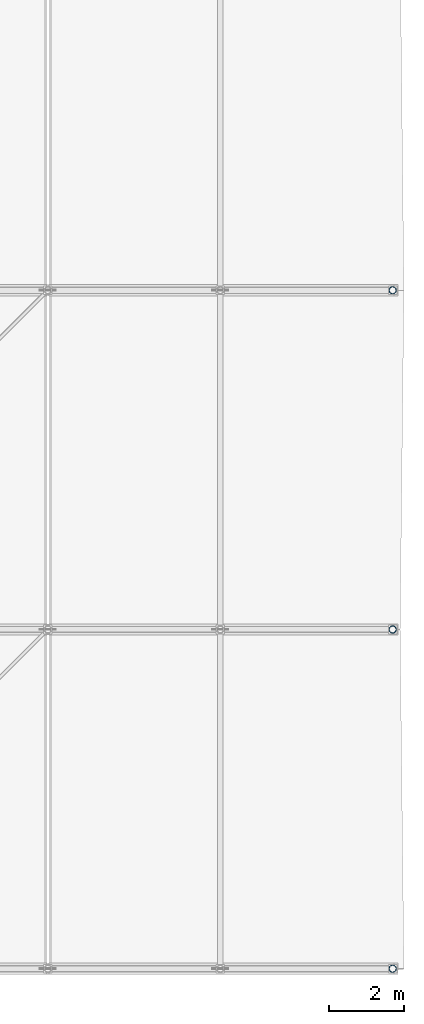
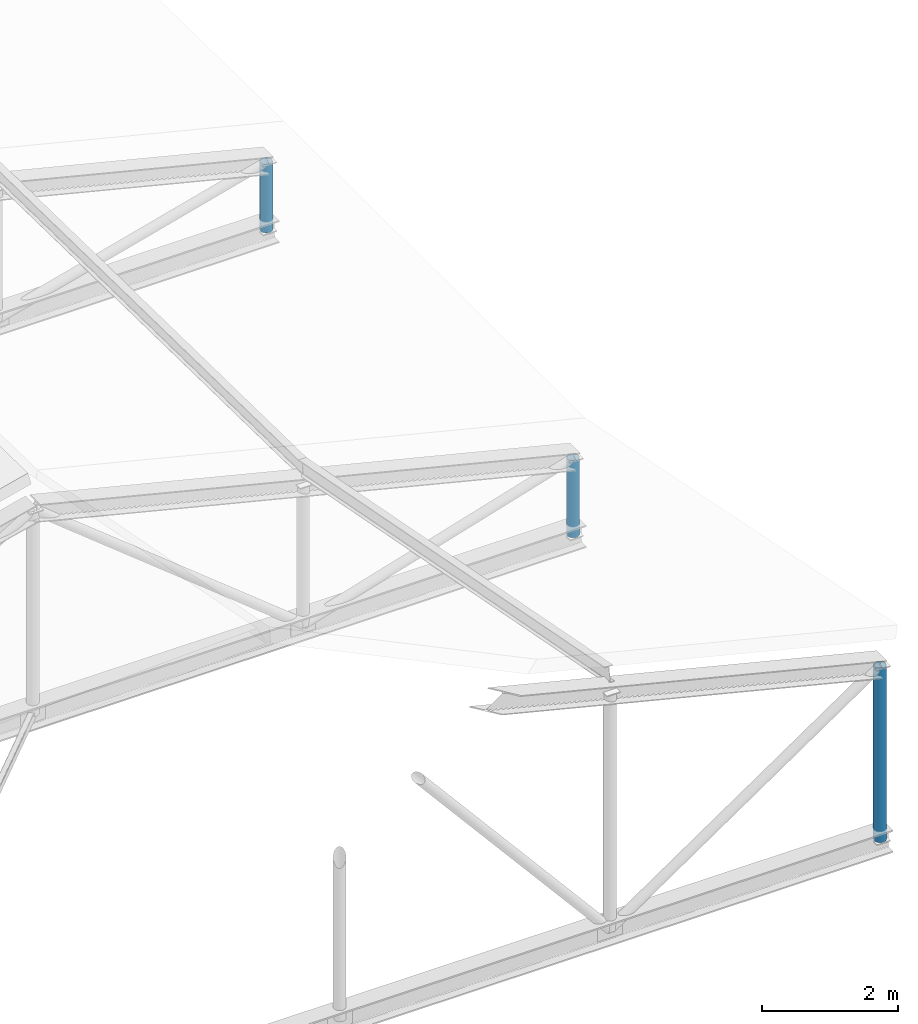
# One storey, part 15 of 33: 3 members.
"""IFC4 building model written with IfcOpenShell, lengths in metres."""

import ifcopenshell
import ifcopenshell.guid

model = None  # the IFC model being written
_history = None  # IfcOwnerHistory: only IFC2X3 demands one
_inside = {}  # id of a spatial element -> (the spatial element, [elements in it])
_under = {}  # id of a project, library or spatial element -> (it, [spatial elements below it])
_declared = {}  # id of a project -> (the project, [libraries it declares])
_typed = {}  # id of a type object -> (the type object, [elements of that type])
_made_of = {}  # id of a material, layer set ... -> (it, [elements and type objects made of it])


def new_model(schema):
    """Start an empty IFC model of exactly this schema.

    Asked for "IFC4X3", IfcOpenShell would pick the latest addendum, in which some entities
    have other attributes; the version numbers below select the first issue.
    IFC2X3 requires an IfcOwnerHistory on every rooted entity: one is made here for all.
    """
    global model, _history
    if schema == "IFC4X3":
        model = ifcopenshell.file(schema_version=(4, 3, 0, 0))
    else:
        model = ifcopenshell.file(schema=schema)
    _inside.clear()
    _under.clear()
    _declared.clear()
    _typed.clear()
    _made_of.clear()
    _history = None
    if model.schema == "IFC2X3":
        org = make("IfcOrganization", Name="unknown")
        user = make(
            "IfcPersonAndOrganization",
            ThePerson=make("IfcPerson", FamilyName="unknown"),
            TheOrganization=org,
        )
        app = make(
            "IfcApplication",
            ApplicationDeveloper=org,
            Version="unknown",
            ApplicationFullName="unknown",
            ApplicationIdentifier="unknown",
        )
        _history = make(
            "IfcOwnerHistory",
            OwningUser=user,
            OwningApplication=app,
            ChangeAction="ADDED",
            CreationDate=0,
        )
    return model


def make(cls, **values):
    """One entity of the class cls with the attributes given. An attribute that is None is left unset."""
    return model.create_entity(
        cls, **{name: value for name, value in values.items() if value is not None}
    )


def rooted(cls, **values):
    """An entity with a GlobalId (a new one), such as an element, a storey or a relation."""
    return make(cls, GlobalId=ifcopenshell.guid.new(), OwnerHistory=_history, **values)


def si_unit(unit_type, name, prefix=None):
    """IfcSIUnit, for example si_unit("LENGTHUNIT", "METRE", prefix="MILLI")."""
    return make("IfcSIUnit", UnitType=unit_type, Prefix=prefix, Name=name)


def assignment(units):
    """IfcUnitAssignment: the units of a project."""
    return None if units is None else make("IfcUnitAssignment", Units=units)


def point(xyz):
    """IfcCartesianPoint."""
    return None if xyz is None else make("IfcCartesianPoint", Coordinates=xyz)


def direction(xyz):
    """IfcDirection."""
    return None if xyz is None else make("IfcDirection", DirectionRatios=xyz)


def frame(location, z_axis=None, x_axis=None):
    """IfcAxis2Placement3D, a coordinate frame: its origin and axes. An axis left out is left unset."""
    return make(
        "IfcAxis2Placement3D",
        Location=point(location),
        Axis=direction(z_axis),
        RefDirection=direction(x_axis),
    )


def frame_2d(location, x_axis=None):
    """IfcAxis2Placement2D, a coordinate frame in the plane: its origin and x axis."""
    return make(
        "IfcAxis2Placement2D", Location=point(location), RefDirection=direction(x_axis)
    )


def origin():
    """The frame at (0, 0, 0) with its axes left unset."""
    return frame((0.0, 0.0, 0.0))


def origin_2d():
    """The frame at (0, 0) in the plane with its x axis left unset."""
    return frame_2d((0.0, 0.0))


def place(relative_to, where):
    """IfcLocalPlacement: puts the frame where relative to a parent placement (None: the world)."""
    return make(
        "IfcLocalPlacement", PlacementRelTo=relative_to, RelativePlacement=where
    )


def context(
    kind, dimensions, precision=None, world=None, true_north=None, identifier=None
):
    """IfcGeometricRepresentationContext, for example the 3D "Model" context."""
    return make(
        "IfcGeometricRepresentationContext",
        ContextIdentifier=identifier,
        ContextType=kind,
        CoordinateSpaceDimension=dimensions,
        Precision=precision,
        WorldCoordinateSystem=world,
        TrueNorth=true_north,
    )


def subcontext(parent, identifier, kind, view, scale=None):
    """IfcGeometricRepresentationSubContext, for example "Body" below "Model"."""
    return make(
        "IfcGeometricRepresentationSubContext",
        ContextIdentifier=identifier,
        ContextType=kind,
        ParentContext=parent,
        TargetScale=scale,
        TargetView=view,
    )


def project(units=None, contexts=None):
    """IfcProject with its units and contexts."""
    return rooted(
        "IfcProject",
        Name="project",
        RepresentationContexts=contexts,
        UnitsInContext=assignment(units),
    )


def spatial(cls, under=None, at=None, **own):
    """A site, building, storey or space (cls), placed at a placement, below another one or the project."""
    s = rooted(cls, ObjectPlacement=at, **own)
    if under is not None:
        _under.setdefault(under.id(), (under, []))[1].append(s)
    return s


def profile(cls, at=None, kind="AREA", **sizes):
    """A parametric profile (cls). Its sizes go by their IFC names, for example OverallWidth=200.0."""
    return make(cls, ProfileType=kind, Position=at, **sizes)


def hollow_circle(**sizes):
    """IfcCircleHollowProfileDef."""
    return profile("IfcCircleHollowProfileDef", **sizes)


def extrude(swept, where, along, depth):
    """IfcExtrudedAreaSolid: the profile swept, set in the frame where, extruded along a direction by depth."""
    return make(
        "IfcExtrudedAreaSolid",
        SweptArea=swept,
        Position=where,
        ExtrudedDirection=direction(along),
        Depth=depth,
    )


def shape(context_of_items, identifier, shape_type, items):
    """IfcShapeRepresentation: the items that make up one representation, for example the "Body"."""
    return make(
        "IfcShapeRepresentation",
        ContextOfItems=context_of_items,
        RepresentationIdentifier=identifier,
        RepresentationType=shape_type,
        Items=items,
    )


def material(Name=None, Category=None):
    """IfcMaterial."""
    return make("IfcMaterial", Name=Name, Category=Category)


def material_profile(
    of_material, cross_section, Name=None, Category=None, Priority=None
):
    """IfcMaterialProfile: a cross section and its material."""
    return make(
        "IfcMaterialProfile",
        Name=Name,
        Material=of_material,
        Profile=cross_section,
        Priority=Priority,
        Category=Category,
    )


def profile_set(profiles, Name=None, composite=None):
    """IfcMaterialProfileSet."""
    return make(
        "IfcMaterialProfileSet",
        Name=Name,
        MaterialProfiles=profiles,
        CompositeProfile=composite,
    )


def made_of(thing, what):
    """Note that an element or type object is made of a material, layer set ...; save() writes the relation."""
    if what is not None:
        _made_of.setdefault(what.id(), (what, []))[1].append(thing)
    return thing


def type_object(cls, material=None, **own):
    """A type object (cls), such as IfcWallType, which elements share."""
    return made_of(rooted(cls, **own), material)


def element(
    cls,
    number,
    at=None,
    inside=None,
    cuts=None,
    type_object=None,
    material=None,
    context=None,
    identifier="Body",
    shape_type=None,
    held_by="IfcProductDefinitionShape",
    body=None,
    shapes=None,
    **own,
):
    """One element of the class cls, such as IfcWall. Its Tag is "e" and its number.

    at: its placement. inside: the storey or other place that contains it. cuts: it is an
    opening in that element (IfcRelVoidsElement). A single representation is given by context,
    identifier, shape_type and body (its items); several are given by shapes. held_by: the class
    of the entity that holds the representations. save() writes the other relations.
    """
    e = rooted(cls, Tag="e%d" % number, ObjectPlacement=at, **own)
    if body is not None:
        shapes = [shape(context, identifier, shape_type, body)]
    if shapes is not None:
        e.Representation = make(held_by, Representations=shapes)
    if inside is not None:
        _inside.setdefault(inside.id(), (inside, []))[1].append(e)
    if cuts is not None:
        rooted(
            "IfcRelVoidsElement", RelatingBuildingElement=cuts, RelatedOpeningElement=e
        )
    if type_object is not None:
        _typed.setdefault(type_object.id(), (type_object, []))[1].append(e)
    return made_of(e, material)


def aggregate(whole, parts):
    """IfcRelAggregates: a whole, such as a stair, and the parts it consists of."""
    return rooted("IfcRelAggregates", RelatingObject=whole, RelatedObjects=parts)


def save(model, path):
    """Write the relations noted so far, then the file.

    IfcRelAggregates (storeys below a building ...), IfcRelContainedInSpatialStructure (elements
    in a storey), IfcRelDefinesByType, IfcRelAssociatesMaterial and IfcRelDeclares: one each for
    every whole, place, type object, material and project.
    """
    for whole, parts in _under.values():
        aggregate(whole, parts)
    for where, things in _inside.values():
        rooted(
            "IfcRelContainedInSpatialStructure",
            RelatedElements=things,
            RelatingStructure=where,
        )
    for kind, things in _typed.values():
        rooted("IfcRelDefinesByType", RelatedObjects=things, RelatingType=kind)
    for what, things in _made_of.values():
        rooted("IfcRelAssociatesMaterial", RelatedObjects=things, RelatingMaterial=what)
    for by, libraries in _declared.values():
        rooted("IfcRelDeclares", RelatingContext=by, RelatedDefinitions=libraries)
    model.write(path)


model = new_model("IFC4")

# Units and contexts
model_context = context("Model", 3, precision=1e-05, world=origin(), true_north=direction((0.0, 1.0)))
body_context = subcontext(model_context, "Body", "Model", "MODEL_VIEW")
ifc_project = project(units=[si_unit("LENGTHUNIT", "METRE"), si_unit("AREAUNIT", "SQUARE_METRE"), si_unit("VOLUMEUNIT", "CUBIC_METRE"), si_unit("PLANEANGLEUNIT", "RADIAN"), si_unit("MASSUNIT", "GRAM", prefix="KILO")], contexts=[model_context])

# Site, building, storey
site_placement = place(None, origin())
site = spatial("IfcSite", under=ifc_project, at=site_placement, CompositionType="ELEMENT")
building_placement = place(site_placement, origin())
building = spatial("IfcBuilding", under=site, at=building_placement, Name="Bozkorgan Art Gallery", CompositionType="ELEMENT")
storey_placement = place(building_placement, frame((0.0, 0.0, 19.5)))
storey = spatial("IfcBuildingStorey", under=building, at=storey_placement, Name="L04", CompositionType="ELEMENT", Elevation=19.5)

# Members
ifc_material = material(Name="Steel S355J2", Category="steel")
ifc_material_profile = material_profile(ifc_material, hollow_circle(Radius=0.096923828125, WallThickness=0.008056640625, at=origin_2d()), Name="CHS 193.7x8")
ifc_profile_set = profile_set([ifc_material_profile], Name="Steel S355J2")
member_type = type_object("IfcMemberType", Name="MEMBER-TP-46", PredefinedType="POST", material=ifc_profile_set)
member_1_placement = place(storey_placement, frame((164.14990234375, 2.0, 0.199951171875), z_axis=(0.0, 0.0, 1.0), x_axis=(1.0, 0.0, 0.0)))
element("IfcMember", 1, at=member_1_placement, inside=storey, type_object=member_type, Name="ROOF-V6-MAIN roof truss 1 post 5", PredefinedType="POST", context=body_context, shape_type="SweptSolid", body=[
    extrude(hollow_circle(Radius=0.096923828125, WallThickness=0.008056640625, at=origin_2d()), origin(), (0.0, 0.0, 1.0), 3.12109375),
])
member_2_placement = place(storey_placement, frame((164.14990234375, 11.0, 0.199951171875), z_axis=(0.0, 0.0, 1.0), x_axis=(1.0, 0.0, 0.0)))
element("IfcMember", 2, at=member_2_placement, inside=storey, type_object=member_type, Name="ROOF-V6-MAIN roof truss 2 post 5", PredefinedType="POST", context=body_context, shape_type="SweptSolid", body=[
    extrude(hollow_circle(Radius=0.096923828125, WallThickness=0.008056640625, at=origin_2d()), origin(), (0.0, 0.0, 1.0), 1.38232421875),
])
member_3_placement = place(storey_placement, frame((164.14990234375, 20.0, 0.199951171875), z_axis=(0.0, 0.0, 1.0), x_axis=(1.0, 0.0, 0.0)))
element("IfcMember", 3, at=member_3_placement, inside=storey, type_object=member_type, Name="ROOF-V6-MAIN roof truss 3 post 5", PredefinedType="POST", context=body_context, shape_type="SweptSolid", body=[
    extrude(hollow_circle(Radius=0.096923828125, WallThickness=0.008056640625, at=origin_2d()), origin(), (0.0, 0.0, 1.0), 1.226806640625),
])

save(model, "model.ifc")
